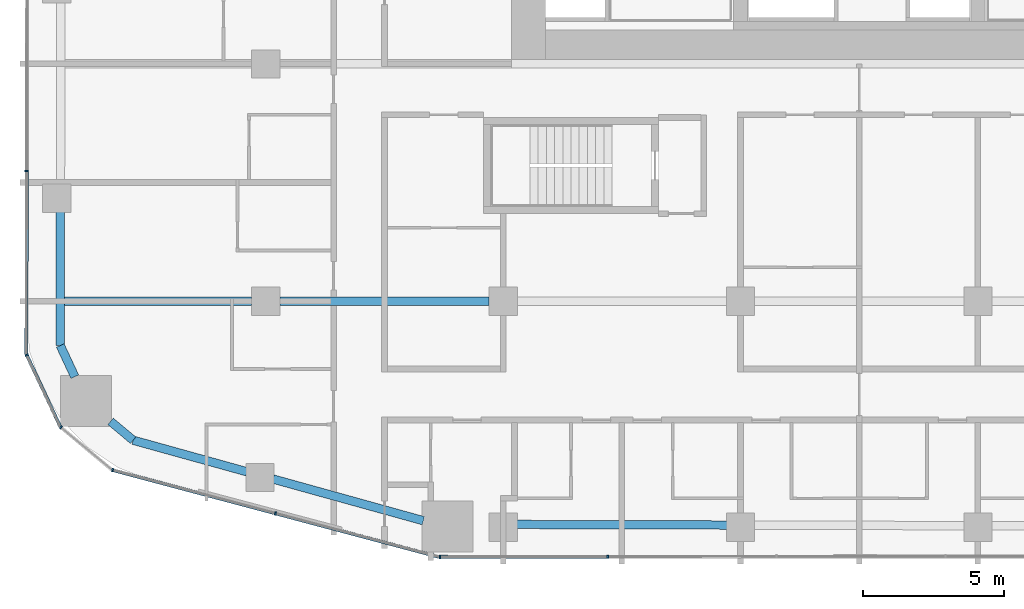
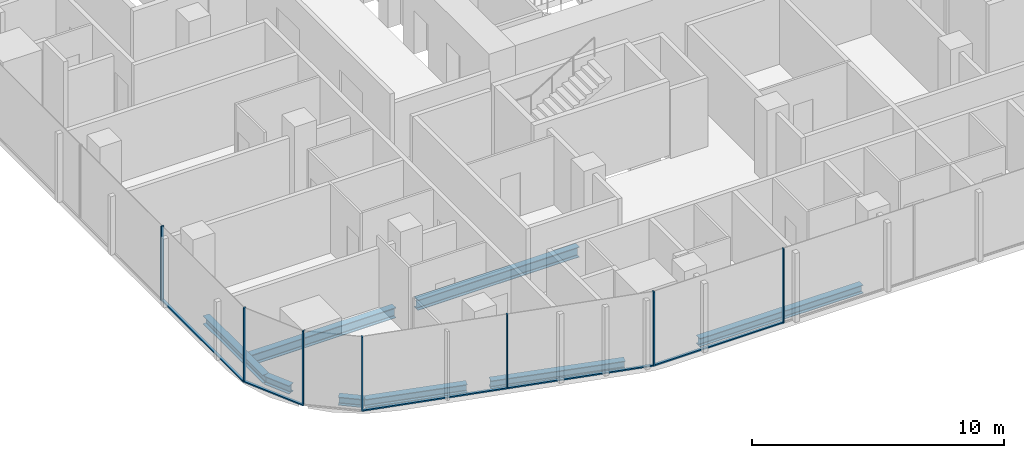
# One storey, part 2 of 26: 12 members, 8 beams, 5 elements without a shape of their own.
"""IFC4 building model written with IfcOpenShell, lengths in metres."""

from ifc_helpers import new_model, si_unit, direction, frame, origin, origin_2d, place, context, subcontext, project, spatial, rectangle, i_section, extrude, material, layer, layer_set, material_profile, profile_set, type_object, element, aggregate, save


model = new_model("IFC4")

# Units and contexts
model_context = context("Model", 3, precision=1e-05, world=origin(), true_north=direction((0.0, 1.0)))
body_context = subcontext(model_context, "Body", "Model", "MODEL_VIEW")
ifc_project = project(units=[si_unit("LENGTHUNIT", "METRE"), si_unit("AREAUNIT", "SQUARE_METRE"), si_unit("VOLUMEUNIT", "CUBIC_METRE"), si_unit("PLANEANGLEUNIT", "RADIAN"), si_unit("MASSUNIT", "GRAM", prefix="KILO")], contexts=[model_context])

# Site, building, storey
site_placement = place(None, origin())
site = spatial("IfcSite", under=ifc_project, at=site_placement, CompositionType="ELEMENT")
building_placement = place(site_placement, origin())
building = spatial("IfcBuilding", under=site, at=building_placement, Name="Marenta Gate Hotel Tower", CompositionType="ELEMENT")
storey_placement = place(building_placement, frame((0.0, 0.0, 43.699951171875)))
storey = spatial("IfcBuildingStorey", under=building, at=storey_placement, Name="L08", CompositionType="ELEMENT", Elevation=43.699951171875)

# Beams
ifc_material_1 = material(Name="Steel S355", Category="steel")
ifc_material_profile_1 = material_profile(ifc_material_1, i_section(OverallWidth=0.300048828125, OverallDepth=0.39990234375, WebThickness=0.013427734375, FlangeThickness=0.02392578125, FilletRadius=0.027099609375, at=origin_2d()), Name="HEB 400")
ifc_profile_set_1 = profile_set([ifc_material_profile_1], Name="Steel S355")
beam_type_1 = type_object("IfcBeamType", Name="Edge beam HEB 400", PredefinedType="SPANDREL", material=ifc_profile_set_1)
beam_1_placement = place(storey_placement, frame((-15.427734375, -16.166748046875, -0.4599609375), z_axis=(-0.963623684238, 0.267262782998, 0.0), x_axis=(-0.267262782998, -0.963623684238, 0.0)))
element("IfcBeam", 1, at=beam_1_placement, inside=storey, type_object=beam_type_1, Name="L08-EB-1", PredefinedType="SPANDREL", context=body_context, shape_type="SweptSolid", body=[
    extrude(i_section(OverallWidth=0.300048828125, OverallDepth=0.39990234375, WebThickness=0.013427734375, FlangeThickness=0.02392578125, FilletRadius=0.027099609375, at=origin_2d()), origin(), (0.0, 0.0, 1.0), 5.518310546875),
])
beam_2_placement = place(storey_placement, frame((-21.668212890625, -14.43603515625, -0.4599609375), z_axis=(-0.963617403201, 0.267285428426, 0.0), x_axis=(-0.267285428426, -0.963617403201, 0.0)))
element("IfcBeam", 2, at=beam_2_placement, inside=storey, type_object=beam_type_1, Name="L08-EB-2", PredefinedType="SPANDREL", context=body_context, shape_type="SweptSolid", body=[
    extrude(i_section(OverallWidth=0.300048828125, OverallDepth=0.39990234375, WebThickness=0.013427734375, FlangeThickness=0.02392578125, FilletRadius=0.027099609375, at=origin_2d()), origin(), (0.0, 0.0, 1.0), 4.1806640625),
])
beam_3_placement = place(storey_placement, frame((-25.69677734375, -13.318603515625, -0.4599609375), z_axis=(-0.767179911534, 0.641431978731, 0.0), x_axis=(-0.641431978731, -0.767179911534, 0.0)))
element("IfcBeam", 3, at=beam_3_placement, inside=storey, type_object=beam_type_1, Name="L08-EB-3", PredefinedType="SPANDREL", context=body_context, shape_type="SweptSolid", body=[
    extrude(i_section(OverallWidth=0.300048828125, OverallDepth=0.39990234375, WebThickness=0.013427734375, FlangeThickness=0.02392578125, FilletRadius=0.027099609375, at=origin_2d()), origin(), (0.0, 0.0, 1.0), 1.038818359375),
])
beam_4_placement = place(storey_placement, frame((-27.76025390625, -11.0693359375, -0.4599609375), z_axis=(-0.423291965192, 0.905993329006, 0.0), x_axis=(-0.905993329006, -0.423291965192, 0.0)))
element("IfcBeam", 4, at=beam_4_placement, inside=storey, type_object=beam_type_1, Name="L08-EB-4", PredefinedType="SPANDREL", context=body_context, shape_type="SweptSolid", body=[
    extrude(i_section(OverallWidth=0.300048828125, OverallDepth=0.39990234375, WebThickness=0.013427734375, FlangeThickness=0.02392578125, FilletRadius=0.027099609375, at=origin_2d()), origin(), (0.0, 0.0, 1.0), 1.21630859375),
])
beam_5_placement = place(storey_placement, frame((-28.275146484375, -9.96728515625, -0.4599609375), z_axis=(0.001386177947, 0.999999039255, 0.0), x_axis=(-0.999999039255, 0.001386177947, 0.0)))
element("IfcBeam", 5, at=beam_5_placement, inside=storey, type_object=beam_type_1, Name="L08-EB-5", PredefinedType="SPANDREL", context=body_context, shape_type="SweptSolid", body=[
    extrude(i_section(OverallWidth=0.300048828125, OverallDepth=0.39990234375, WebThickness=0.013427734375, FlangeThickness=0.02392578125, FilletRadius=0.027099609375, at=origin_2d()), origin(), (0.0, 0.0, 1.0), 4.75537109375),
])
beam_6_placement = place(storey_placement, frame((-4.659912109375, -16.31982421875, -0.4599609375), z_axis=(-0.999996151562, 0.002774321851, 0.0), x_axis=(-0.002774321851, -0.999996151562, 0.0)))
element("IfcBeam", 6, at=beam_6_placement, inside=storey, type_object=beam_type_1, Name="L08-EB-34", PredefinedType="SPANDREL", context=body_context, shape_type="SweptSolid", body=[
    extrude(i_section(OverallWidth=0.300048828125, OverallDepth=0.39990234375, WebThickness=0.013427734375, FlangeThickness=0.02392578125, FilletRadius=0.027099609375, at=origin_2d()), origin(), (0.0, 0.0, 1.0), 7.47998046875),
])
ifc_material_2 = material(Name="Steel S355", Category="steel")
ifc_material_profile_2 = material_profile(ifc_material_2, i_section(OverallWidth=0.300048828125, OverallDepth=0.5, WebThickness=0.014404296875, FlangeThickness=0.028076171875, FilletRadius=0.027099609375, at=origin_2d()), Name="HEB 500")
ifc_profile_set_2 = profile_set([ifc_material_profile_2], Name="Steel S355")
beam_type_2 = type_object("IfcBeamType", Name="Girder HEB 500", PredefinedType="BEAM", material=ifc_profile_set_2)
beam_7_placement = place(storey_placement, frame((-28.123046875, -8.39990234375, -0.510009765625), z_axis=(1.0, 0.0, 0.0), x_axis=(0.0, 1.0, 0.0)))
element("IfcBeam", 7, at=beam_7_placement, inside=storey, type_object=beam_type_2, Name="L08-GD-1", PredefinedType="BEAM", context=body_context, shape_type="SweptSolid", body=[
    extrude(i_section(OverallWidth=0.300048828125, OverallDepth=0.5, WebThickness=0.014404296875, FlangeThickness=0.028076171875, FilletRadius=0.027099609375, at=origin_2d()), origin(), (0.0, 0.0, 1.0), 6.623046875),
])
beam_8_placement = place(storey_placement, frame((-20.5, -8.39990234375, -0.510009765625), z_axis=(1.0, 0.0, 0.0), x_axis=(0.0, 1.0, 0.0)))
element("IfcBeam", 8, at=beam_8_placement, inside=storey, type_object=beam_type_2, Name="L08-GD-2", PredefinedType="BEAM", context=body_context, shape_type="SweptSolid", body=[
    extrude(i_section(OverallWidth=0.300048828125, OverallDepth=0.5, WebThickness=0.014404296875, FlangeThickness=0.028076171875, FilletRadius=0.027099609375, at=origin_2d()), origin(), (0.0, 0.0, 1.0), 7.39990234375),
])

# Curtain wall, member
ifc_material_3 = material(Name="Tinted insulated glass in bronze anodised frame", Category="glass")
ifc_layer = layer(ifc_material_3, 0.1201171875)
ifc_layer_set = layer_set([ifc_layer], Name="Tinted insulated glass in bronze anodised frame")
curtain_wall_type = type_object("IfcCurtainWallType", Name="Tower unitised curtain wall CW1", PredefinedType="NOTDEFINED", material=ifc_layer_set)
curtain_wall_1_placement = place(storey_placement, origin())
curtain_wall_1 = element("IfcCurtainWall", 9, at=curtain_wall_1_placement, inside=storey, type_object=curtain_wall_type, Name="CW1 run G03", PredefinedType="NOTDEFINED")
ifc_material_4 = material(Name="Bronze anodised aluminium", Category="aluminium")
ifc_material_profile_3 = material_profile(ifc_material_4, rectangle(XDim=0.1201171875, YDim=0.06005859375, at=origin_2d()), Name="Mullion CW1 60x120 bronze anodised aluminium")
ifc_profile_set_3 = profile_set([ifc_material_profile_3], Name="Bronze anodised aluminium")
member_type_1 = type_object("IfcMemberType", Name="Mullion CW1 60x120 bronze anodised aluminium", PredefinedType="MULLION", material=ifc_profile_set_3)
member_1_placement = place(storey_placement, frame((-29.463134765625, -3.78564453125, 0.0), z_axis=(0.0, 0.0, 1.0), x_axis=(0.99999877316, -0.00156642217, 0.0)))
member_1 = element("IfcMember", 10, at=member_1_placement, type_object=member_type_1, Name="CW1 mullion 6", PredefinedType="MULLION", context=body_context, shape_type="SweptSolid", body=[
    extrude(rectangle(XDim=0.1201171875, YDim=0.06005859375, at=origin_2d()), origin(), (0.0, 0.0, 1.0), 3.60009765625),
])

curtain_wall_2_placement = place(storey_placement, origin())
curtain_wall_2 = element("IfcCurtainWall", 11, at=curtain_wall_2_placement, inside=storey, type_object=curtain_wall_type, Name="CW1 run G04", PredefinedType="NOTDEFINED")
member_2_placement = place(storey_placement, frame((-29.460693359375, -10.30322265625, 0.0), z_axis=(0.0, 0.0, 1.0), x_axis=(0.905970129167, 0.423341617441, 0.0)))
member_2 = element("IfcMember", 12, at=member_2_placement, type_object=member_type_1, Name="CW1 mullion 1", PredefinedType="MULLION", context=body_context, shape_type="SweptSolid", body=[
    extrude(rectangle(XDim=0.1201171875, YDim=0.06005859375, at=origin_2d()), origin(), (0.0, 0.0, 1.0), 3.60009765625),
])

curtain_wall_3_placement = place(storey_placement, origin())
curtain_wall_3 = element("IfcCurtainWall", 13, at=curtain_wall_3_placement, inside=storey, type_object=curtain_wall_type, Name="CW1 run G05", PredefinedType="NOTDEFINED")
member_3_placement = place(storey_placement, frame((-28.25146484375, -12.86083984375, 0.0), z_axis=(0.0, 0.0, 1.0), x_axis=(0.641511984407, 0.767113012445, 0.0)))
member_3 = element("IfcMember", 14, at=member_3_placement, type_object=member_type_1, Name="CW1 mullion 1", PredefinedType="MULLION", context=body_context, shape_type="SweptSolid", body=[
    extrude(rectangle(XDim=0.1201171875, YDim=0.06005859375, at=origin_2d()), origin(), (0.0, 0.0, 1.0), 3.60009765625),
])
aggregate(curtain_wall_3, [member_3])

# Curtain wall, members
curtain_wall_4_placement = place(storey_placement, origin())
curtain_wall_4 = element("IfcCurtainWall", 15, at=curtain_wall_4_placement, inside=storey, type_object=curtain_wall_type, Name="CW1 run G06", PredefinedType="NOTDEFINED")
member_4_placement = place(storey_placement, frame((-26.42236328125, -14.3740234375, 0.0), z_axis=(0.0, 0.0, 1.0), x_axis=(0.257141675823, 0.966373715782, 0.0)))
member_4 = element("IfcMember", 16, at=member_4_placement, type_object=member_type_1, Name="CW1 mullion 1", PredefinedType="MULLION", context=body_context, shape_type="SweptSolid", body=[
    extrude(rectangle(XDim=0.1201171875, YDim=0.06005859375, at=origin_2d()), origin(), (0.0, 0.0, 1.0), 3.60009765625),
])
member_5_placement = place(storey_placement, frame((-20.660888671875, -15.906982421875, 0.0), z_axis=(0.0, 0.0, 1.0), x_axis=(0.257141675823, 0.966373715782, 0.0)))
member_5 = element("IfcMember", 17, at=member_5_placement, type_object=member_type_1, Name="CW1 mullion 2", PredefinedType="MULLION", context=body_context, shape_type="SweptSolid", body=[
    extrude(rectangle(XDim=0.1201171875, YDim=0.06005859375, at=origin_2d()), origin(), (0.0, 0.0, 1.0), 3.60009765625),
])

curtain_wall_5_placement = place(storey_placement, origin())
curtain_wall_5 = element("IfcCurtainWall", 18, at=curtain_wall_5_placement, inside=storey, type_object=curtain_wall_type, Name="CW1 run G07", PredefinedType="NOTDEFINED")
member_6_placement = place(storey_placement, frame((-14.840576171875, -17.44775390625, 0.0), z_axis=(0.0, 0.0, 1.0), x_axis=(-0.001161921639, 0.999999324969, 0.0)))
member_6 = element("IfcMember", 19, at=member_6_placement, type_object=member_type_1, Name="CW1 mullion 1", PredefinedType="MULLION", context=body_context, shape_type="SweptSolid", body=[
    extrude(rectangle(XDim=0.1201171875, YDim=0.06005859375, at=origin_2d()), origin(), (0.0, 0.0, 1.0), 3.60009765625),
])
member_7_placement = place(storey_placement, frame((-8.897705078125, -17.44091796875, 0.0), z_axis=(0.0, 0.0, 1.0), x_axis=(-0.001161921639, 0.999999324969, 0.0)))
member_7 = element("IfcMember", 20, at=member_7_placement, type_object=member_type_1, Name="CW1 mullion 2", PredefinedType="MULLION", context=body_context, shape_type="SweptSolid", body=[
    extrude(rectangle(XDim=0.1201171875, YDim=0.06005859375, at=origin_2d()), origin(), (0.0, 0.0, 1.0), 3.60009765625),
])

# Member
ifc_material_5 = material(Name="Bronze anodised aluminium", Category="aluminium")
ifc_material_profile_4 = material_profile(ifc_material_5, rectangle(XDim=0.1201171875, YDim=0.06005859375, at=origin_2d()), Name="Transom CW1 60x120 bronze anodised aluminium")
ifc_profile_set_4 = profile_set([ifc_material_profile_4], Name="Bronze anodised aluminium")
member_type_2 = type_object("IfcMemberType", Name="Transom CW1 60x120 bronze anodised aluminium", PredefinedType="USERDEFINED", material=ifc_profile_set_4)
member_8_placement = place(storey_placement, frame((-29.463134765625, -3.815673828125, 0.030029296875), z_axis=(-0.001587239601, -0.999998740334, 0.0), x_axis=(0.999998740334, -0.001587239601, 0.0)))
member_8 = element("IfcMember", 21, at=member_8_placement, type_object=member_type_2, Name="CW1 transom 6.1", ObjectType="TRANSOM", PredefinedType="USERDEFINED", context=body_context, shape_type="SweptSolid", body=[
    extrude(rectangle(XDim=0.1201171875, YDim=0.06005859375, at=origin_2d()), origin(), (0.0, 0.0, 1.0), 6.460205078125),
])

aggregate(curtain_wall_1, [member_1, member_8])

member_9_placement = place(storey_placement, frame((-29.447998046875, -10.330322265625, 0.030029296875), z_axis=(0.423348255175, -0.905967027457, 0.0), x_axis=(0.905967027457, 0.423348255175, 0.0)))
member_9 = element("IfcMember", 22, at=member_9_placement, type_object=member_type_2, Name="CW1 transom 1.1", ObjectType="TRANSOM", PredefinedType="USERDEFINED", context=body_context, shape_type="SweptSolid", body=[
    extrude(rectangle(XDim=0.1201171875, YDim=0.06005859375, at=origin_2d()), origin(), (0.0, 0.0, 1.0), 2.772216796875),
])

aggregate(curtain_wall_2, [member_2, member_9])

member_10_placement = place(storey_placement, frame((-26.393310546875, -14.3818359375, 0.030029296875), z_axis=(0.966374861095, -0.257137371541, 0.0), x_axis=(0.257137371541, 0.966374861095, 0.0)))
member_10 = element("IfcMember", 23, at=member_10_placement, type_object=member_type_2, Name="CW1 transom 1.1", ObjectType="TRANSOM", PredefinedType="USERDEFINED", context=body_context, shape_type="SweptSolid", body=[
    extrude(rectangle(XDim=0.1201171875, YDim=0.06005859375, at=origin_2d()), origin(), (0.0, 0.0, 1.0), 5.90185546875),
])

member_11_placement = place(storey_placement, frame((-20.632080078125, -15.914794921875, 0.030029296875), z_axis=(0.966378199773, -0.25712482378, 0.0), x_axis=(0.25712482378, 0.966378199773, 0.0)))
member_11 = element("IfcMember", 24, at=member_11_placement, type_object=member_type_2, Name="CW1 transom 2.1", ObjectType="TRANSOM", PredefinedType="USERDEFINED", context=body_context, shape_type="SweptSolid", body=[
    extrude(rectangle(XDim=0.1201171875, YDim=0.06005859375, at=origin_2d()), origin(), (0.0, 0.0, 1.0), 5.9619140625),
])

aggregate(curtain_wall_4, [member_4, member_5, member_10, member_11])

member_12_placement = place(storey_placement, frame((-14.810546875, -17.44775390625, 0.030029296875), z_axis=(0.999999324857, 0.001162017808, 0.0), x_axis=(-0.001162017808, 0.999999324857, 0.0)))
member_12 = element("IfcMember", 25, at=member_12_placement, type_object=member_type_2, Name="CW1 transom 1.1", ObjectType="TRANSOM", PredefinedType="USERDEFINED", context=body_context, shape_type="SweptSolid", body=[
    extrude(rectangle(XDim=0.1201171875, YDim=0.06005859375, at=origin_2d()), origin(), (0.0, 0.0, 1.0), 5.8828125),
])

aggregate(curtain_wall_5, [member_6, member_7, member_12])

save(model, "model.ifc")
